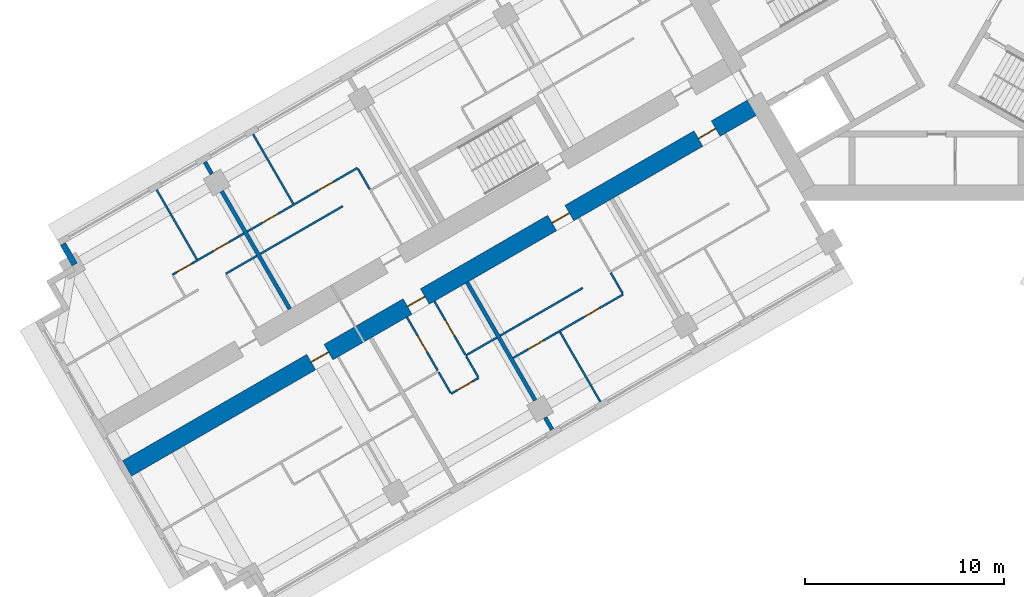
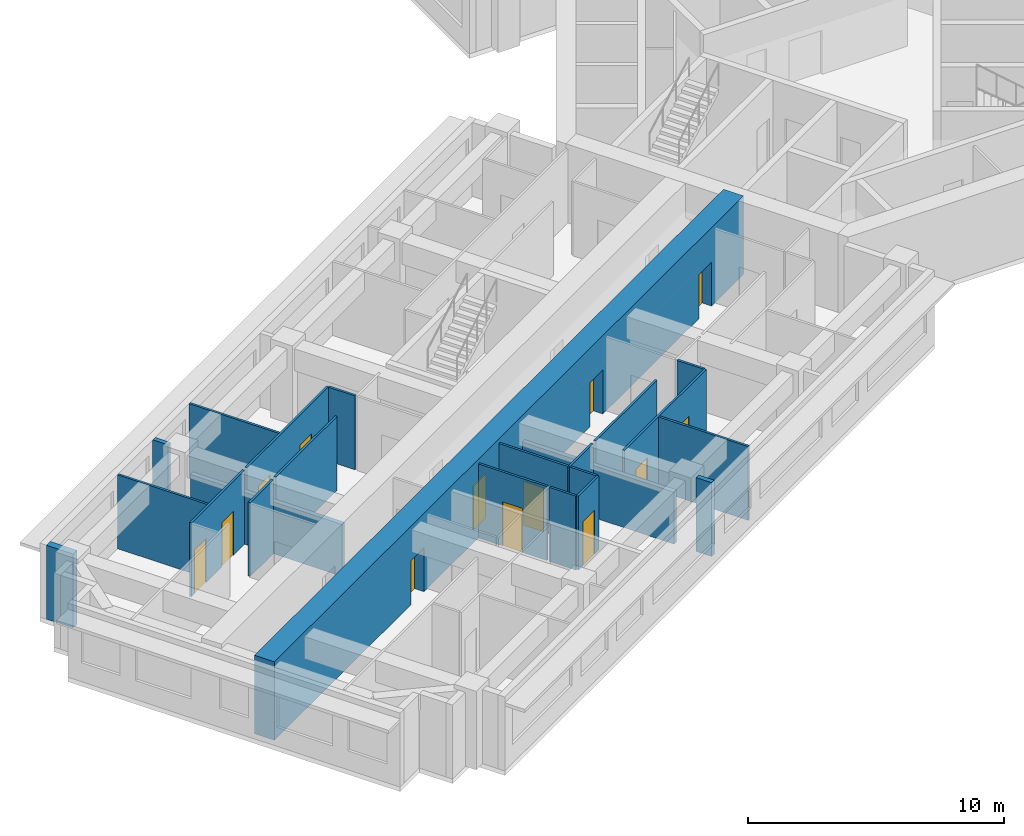
# One storey, part 4 of 14: 23 walls, 13 doors, 13 openings.
"""IFC4 building model written with IfcOpenShell, lengths in metres."""

from ifc_helpers import new_model, si_unit, direction, frame, frame_2d, origin, place, context, subcontext, project, spatial, rectangle, extrude, material, layer, layer_set, type_object, element, fill, save


model = new_model("IFC4")

# Units and contexts
model_context = context("Model", 3, precision=1e-05, world=origin(), true_north=direction((0.0, 1.0)))
body_context = subcontext(model_context, "Body", "Model", "MODEL_VIEW")
ifc_project = project(units=[si_unit("LENGTHUNIT", "METRE"), si_unit("AREAUNIT", "SQUARE_METRE"), si_unit("VOLUMEUNIT", "CUBIC_METRE"), si_unit("PLANEANGLEUNIT", "RADIAN"), si_unit("MASSUNIT", "GRAM", prefix="KILO")], contexts=[model_context])

# Site, building, storey
site_placement = place(None, origin())
site = spatial("IfcSite", under=ifc_project, at=site_placement, CompositionType="ELEMENT")
building_placement = place(site_placement, origin())
building = spatial("IfcBuilding", under=site, at=building_placement, Name="Impinga Residences", CompositionType="ELEMENT")
storey_placement = place(building_placement, frame((0.0, 0.0, 117.25)))
storey = spatial("IfcBuildingStorey", under=building, at=storey_placement, Name="L28", CompositionType="ELEMENT", Elevation=117.25)

# Wall, openings, doors
ifc_material_1 = material(Name="Concrete C60/75", Category="concrete")
ifc_layer_1 = layer(ifc_material_1, 0.89990234375)
ifc_layer_set_1 = layer_set([ifc_layer_1], Name="Concrete C60/75")
wall_type_1 = type_object("IfcWallType", Name="BW2 corridor buttress wall, L24 to L44 900", PredefinedType="SHEAR", material=ifc_layer_set_1)
wall_1_placement = place(storey_placement, frame((-8.95361328125, -6.554931640625, 0.0), z_axis=(0.0, 0.0, 1.0), x_axis=(-0.866024733898, -0.500001160275, 0.0)))
wall_1 = element("IfcWall", 1, at=wall_1_placement, inside=storey, type_object=wall_type_1, Name="Corridor wall BW2 WC L28", PredefinedType="SHEAR", context=body_context, shape_type="SweptSolid", body=[
    extrude(rectangle(XDim=36.7001953125, YDim=0.89990234375, at=frame_2d((18.35009765625, 0.0))), origin(), (0.0, 0.0, 1.0), 3.75),
])
opening_1_placement = place(wall_1_placement, frame((2.5, 0.0, 0.0)))
opening_1 = element("IfcOpeningElement", 2, at=opening_1_placement, cuts=wall_1, Name="Opening D1", PredefinedType="OPENING", context=body_context, shape_type="SweptSolid", body=[
    extrude(rectangle(XDim=1.0, YDim=2.10009765625, at=frame_2d((0.5, 1.050048828125))), frame((0.0, 0.4599609375, 0.0), z_axis=(0.0, -1.0, 0.0), x_axis=(1.0, 0.0, 0.0)), (0.0, 0.0, 1.0), 0.919921875),
])
opening_2_placement = place(wall_1_placement, frame((11.0, 0.0, 0.0)))
opening_2 = element("IfcOpeningElement", 3, at=opening_2_placement, cuts=wall_1, Name="Opening D1", PredefinedType="OPENING", context=body_context, shape_type="SweptSolid", body=[
    extrude(rectangle(XDim=1.0, YDim=2.10009765625, at=frame_2d((0.5, 1.050048828125))), frame((0.0, 0.4599609375, 0.0), z_axis=(0.0, -1.0, 0.0), x_axis=(1.0, 0.0, 0.0)), (0.0, 0.0, 1.0), 0.919921875),
])
opening_3_placement = place(wall_1_placement, frame((19.39990234375, 0.0, 0.0)))
opening_3 = element("IfcOpeningElement", 4, at=opening_3_placement, cuts=wall_1, Name="Opening D1", PredefinedType="OPENING", context=body_context, shape_type="SweptSolid", body=[
    extrude(rectangle(XDim=1.0, YDim=2.10009765625, at=frame_2d((0.5, 1.050048828125))), frame((0.0, 0.4599609375, 0.0), z_axis=(0.0, -1.0, 0.0), x_axis=(1.0, 0.0, 0.0)), (0.0, 0.0, 1.0), 0.919921875),
])
opening_4_placement = place(wall_1_placement, frame((25.0, 0.0, 0.0)))
opening_4 = element("IfcOpeningElement", 5, at=opening_4_placement, cuts=wall_1, Name="Opening D1", PredefinedType="OPENING", context=body_context, shape_type="SweptSolid", body=[
    extrude(rectangle(XDim=1.0, YDim=2.10009765625, at=frame_2d((0.5, 1.050048828125))), frame((0.0, 0.4599609375, 0.0), z_axis=(0.0, -1.0, 0.0), x_axis=(1.0, 0.0, 0.0)), (0.0, 0.0, 1.0), 0.919921875),
])
ifc_material_2 = material(Name="Timber door set", Category="wood")
door_type_1 = type_object("IfcDoorType", Name="D1 apartment entrance door 1000x2100", OperationType="SINGLE_SWING_LEFT", PredefinedType="DOOR", material=ifc_material_2)
door_1_placement = place(opening_1_placement, origin())
door_1 = element("IfcDoor", 6, at=door_1_placement, inside=storey, type_object=door_type_1, Name="Apartment L28-WA1 entrance", OperationType="SINGLE_SWING_LEFT", OverallHeight=2.10009765625, OverallWidth=1.0, PredefinedType="DOOR", context=body_context, shape_type="SweptSolid", body=[
    extrude(rectangle(XDim=1.0, YDim=2.10009765625, at=frame_2d((0.5, 1.050048828125))), frame((0.0, 0.02490234375, 0.0), z_axis=(0.0, -1.0, 0.0), x_axis=(1.0, 0.0, 0.0)), (0.0, 0.0, 1.0), 0.050048828125),
])
fill(opening_1, door_1)
door_2_placement = place(opening_2_placement, origin())
door_2 = element("IfcDoor", 7, at=door_2_placement, inside=storey, type_object=door_type_1, Name="Apartment L28-WA2 entrance", OperationType="SINGLE_SWING_LEFT", OverallHeight=2.10009765625, OverallWidth=1.0, PredefinedType="DOOR", context=body_context, shape_type="SweptSolid", body=[
    extrude(rectangle(XDim=1.0, YDim=2.10009765625, at=frame_2d((0.5, 1.050048828125))), frame((0.0, 0.02490234375, 0.0), z_axis=(0.0, -1.0, 0.0), x_axis=(1.0, 0.0, 0.0)), (0.0, 0.0, 1.0), 0.050048828125),
])
fill(opening_2, door_2)
door_3_placement = place(opening_3_placement, origin())
door_3 = element("IfcDoor", 8, at=door_3_placement, inside=storey, type_object=door_type_1, Name="Apartment L28-WA3 entrance", OperationType="SINGLE_SWING_RIGHT", OverallHeight=2.10009765625, OverallWidth=1.0, PredefinedType="DOOR", context=body_context, shape_type="SweptSolid", body=[
    extrude(rectangle(XDim=1.0, YDim=2.10009765625, at=frame_2d((0.5, 1.050048828125))), frame((0.0, 0.02490234375, 0.0), z_axis=(0.0, -1.0, 0.0), x_axis=(1.0, 0.0, 0.0)), (0.0, 0.0, 1.0), 0.050048828125),
])
fill(opening_3, door_3)
door_4_placement = place(opening_4_placement, origin())
door_4 = element("IfcDoor", 9, at=door_4_placement, inside=storey, type_object=door_type_1, Name="Apartment L28-WA4 entrance", OperationType="SINGLE_SWING_RIGHT", OverallHeight=2.10009765625, OverallWidth=1.0, PredefinedType="DOOR", context=body_context, shape_type="SweptSolid", body=[
    extrude(rectangle(XDim=1.0, YDim=2.10009765625, at=frame_2d((0.5, 1.050048828125))), frame((0.0, 0.02490234375, 0.0), z_axis=(0.0, -1.0, 0.0), x_axis=(1.0, 0.0, 0.0)), (0.0, 0.0, 1.0), 0.050048828125),
])
fill(opening_4, door_4)

# Walls
ifc_material_3 = material(Name="Terracotta rainscreen on blockwork", Category="masonry")
ifc_layer_2 = layer(ifc_material_3, 0.300048828125)
ifc_layer_set_2 = layer_set([ifc_layer_2], Name="EW1 external wall, terracotta rainscreen on blockwork 300")
wall_type_2 = type_object("IfcWallType", Name="EW1 external wall, terracotta rainscreen on blockwork 300", PredefinedType="SOLIDWALL", material=ifc_layer_set_2)
wall_2_placement = place(storey_placement, frame((-43.37109375, -14.64208984375, 0.0), z_axis=(0.0, 0.0, 1.0), x_axis=(-0.500029051137, 0.866008630453, 0.0)))
element("IfcWall", 10, at=wall_2_placement, inside=storey, type_object=wall_type_2, Name="External wall EW1 L28", PredefinedType="SOLIDWALL", context=body_context, shape_type="SweptSolid", body=[
    extrude(rectangle(XDim=1.19482421875, YDim=0.300048828125, at=frame_2d((0.597412109375, 0.0))), origin(), (0.0, 0.0, 1.0), 3.530029296875),
])
ifc_material_4 = material(Name="Gypsum board on steel studs", Category="steel")
ifc_layer_3 = layer(ifc_material_4, 0.10009765625)
ifc_layer_set_3 = layer_set([ifc_layer_3], Name="Gypsum board on steel studs")
wall_type_3 = type_object("IfcWallType", Name="IP1 partition 100", PredefinedType="PARTITIONING", material=ifc_layer_set_3)
wall_3_placement = place(storey_placement, frame((-17.8056640625, -15.82275390625, 0.0), z_axis=(0.0, 0.0, 1.0), x_axis=(-0.866037363387, -0.499979284789, 0.0)))
element("IfcWall", 11, at=wall_3_placement, inside=storey, type_object=wall_type_3, Name="Partition L28-WA2:DIV1", PredefinedType="PARTITIONING", context=body_context, shape_type="SweptSolid", body=[
    extrude(rectangle(XDim=4.800048828125, YDim=0.10009765625, at=frame_2d((2.39990234375, 0.0))), origin(), (0.0, 0.0, 1.0), 3.530029296875),
])

# Wall, openings, doors
wall_4_placement = place(storey_placement, frame((-15.77001953125, -16.1484375, 0.0), z_axis=(0.0, 0.0, 1.0), x_axis=(-0.866018518567, -0.500011925357, 0.0)))
wall_4 = element("IfcWall", 12, at=wall_4_placement, inside=storey, type_object=wall_type_3, Name="Partition L28-WA2:STRIP", PredefinedType="PARTITIONING", context=body_context, shape_type="SweptSolid", body=[
    extrude(rectangle(XDim=6.400146484375, YDim=0.10009765625, at=frame_2d((3.2001953125, 0.0))), origin(), (0.0, 0.0, 1.0), 3.530029296875),
])
opening_5_placement = place(wall_4_placement, frame((1.375, 0.0, 0.0)))
opening_5 = element("IfcOpeningElement", 13, at=opening_5_placement, cuts=wall_4, Name="Opening D2", PredefinedType="OPENING", context=body_context, shape_type="SweptSolid", body=[
    extrude(rectangle(XDim=0.89990234375, YDim=2.10009765625, at=frame_2d((0.449951171875, 1.050048828125))), frame((0.0, 0.06005859375, 0.0), z_axis=(0.0, -1.0, 0.0), x_axis=(1.0, 0.0, 0.0)), (0.0, 0.0, 1.0), 0.1201171875),
])
opening_6_placement = place(wall_4_placement, frame((4.625, 0.0, 0.0)))
opening_6 = element("IfcOpeningElement", 14, at=opening_6_placement, cuts=wall_4, Name="Opening D2", PredefinedType="OPENING", context=body_context, shape_type="SweptSolid", body=[
    extrude(rectangle(XDim=0.89990234375, YDim=2.10009765625, at=frame_2d((0.449951171875, 1.050048828125))), frame((0.0, 0.06005859375, 0.0), z_axis=(0.0, -1.0, 0.0), x_axis=(1.0, 0.0, 0.0)), (0.0, 0.0, 1.0), 0.1201171875),
])
door_type_2 = type_object("IfcDoorType", Name="D2 internal door 900x2100", OperationType="SINGLE_SWING_LEFT", PredefinedType="DOOR", material=ifc_material_2)
door_5_placement = place(opening_5_placement, origin())
door_5 = element("IfcDoor", 15, at=door_5_placement, inside=storey, type_object=door_type_2, Name="Apartment L28-WA2 room door", OperationType="SINGLE_SWING_LEFT", OverallHeight=2.10009765625, OverallWidth=0.89990234375, PredefinedType="DOOR", context=body_context, shape_type="SweptSolid", body=[
    extrude(rectangle(XDim=0.89990234375, YDim=2.10009765625, at=frame_2d((0.449951171875, 1.050048828125))), frame((0.0, 0.02490234375, 0.0), z_axis=(0.0, -1.0, 0.0), x_axis=(1.0, 0.0, 0.0)), (0.0, 0.0, 1.0), 0.050048828125),
])
fill(opening_5, door_5)
door_6_placement = place(opening_6_placement, origin())
door_6 = element("IfcDoor", 16, at=door_6_placement, inside=storey, type_object=door_type_2, Name="Apartment L28-WA2 room door", OperationType="SINGLE_SWING_RIGHT", OverallHeight=2.10009765625, OverallWidth=0.89990234375, PredefinedType="DOOR", context=body_context, shape_type="SweptSolid", body=[
    extrude(rectangle(XDim=0.89990234375, YDim=2.10009765625, at=frame_2d((0.449951171875, 1.050048828125))), frame((0.0, 0.02490234375, 0.0), z_axis=(0.0, -1.0, 0.0), x_axis=(1.0, 0.0, 0.0)), (0.0, 0.0, 1.0), 0.050048828125),
])
fill(opening_6, door_6)

# Walls
wall_5_placement = place(storey_placement, frame((-16.39501953125, -15.06591796875, 0.0), z_axis=(0.0, 0.0, 1.0), x_axis=(0.499880961361, -0.866094119867, 0.0)))
element("IfcWall", 17, at=wall_5_placement, inside=storey, type_object=wall_type_3, Name="Partition L28-WA2:SE0", PredefinedType="PARTITIONING", context=body_context, shape_type="SweptSolid", body=[
    extrude(rectangle(XDim=1.199951171875, YDim=0.10009765625, at=frame_2d((0.60009765625, 0.0))), origin(), (0.0, 0.0, 1.0), 3.530029296875),
])
wall_6_placement = place(storey_placement, frame((-18.949462890625, -18.041748046875, 0.0), z_axis=(0.0, 0.0, 1.0), x_axis=(0.50000943426, -0.866019956843, 0.0)))
element("IfcWall", 18, at=wall_6_placement, inside=storey, type_object=wall_type_3, Name="Partition L28-WA2:OB1", PredefinedType="PARTITIONING", context=body_context, shape_type="SweptSolid", body=[
    extrude(rectangle(XDim=4.05029296875, YDim=0.10009765625, at=frame_2d((2.025146484375, 0.0))), origin(), (0.0, 0.0, 1.0), 3.530029296875),
])
wall_7_placement = place(storey_placement, frame((-22.1357421875, -18.32275390625, 0.0), z_axis=(0.0, 0.0, 1.0), x_axis=(-0.866047807691, -0.499961193289, 0.0)))
element("IfcWall", 19, at=wall_7_placement, inside=storey, type_object=wall_type_3, Name="Partition L28-WA3:DIV0", PredefinedType="PARTITIONING", context=body_context, shape_type="SweptSolid", body=[
    extrude(rectangle(XDim=1.800048828125, YDim=0.10009765625, at=frame_2d((0.89990234375, 0.0))), origin(), (0.0, 0.0, 1.0), 3.530029296875),
])

# Wall, opening, door
wall_8_placement = place(storey_placement, frame((-23.044677734375, -20.3486328125, 0.0), z_axis=(0.0, 0.0, 1.0), x_axis=(-0.866094119867, -0.499880961361, 0.0)))
wall_8 = element("IfcWall", 20, at=wall_8_placement, inside=storey, type_object=wall_type_3, Name="Partition L28-WA3:STRIP", PredefinedType="PARTITIONING", context=body_context, shape_type="SweptSolid", body=[
    extrude(rectangle(XDim=1.60009765625, YDim=0.10009765625, at=frame_2d((0.800048828125, 0.0))), origin(), (0.0, 0.0, 1.0), 3.530029296875),
])
opening_7_placement = place(wall_8_placement, frame((0.35009765625, 0.0, 0.0)))
opening_7 = element("IfcOpeningElement", 21, at=opening_7_placement, cuts=wall_8, Name="Opening D2", PredefinedType="OPENING", context=body_context, shape_type="SweptSolid", body=[
    extrude(rectangle(XDim=0.89990234375, YDim=2.10009765625, at=frame_2d((0.449951171875, 1.050048828125))), frame((0.0, 0.06005859375, 0.0), z_axis=(0.0, -1.0, 0.0), x_axis=(1.0, 0.0, 0.0)), (0.0, 0.0, 1.0), 0.1201171875),
])
door_7_placement = place(opening_7_placement, origin())
door_7 = element("IfcDoor", 22, at=door_7_placement, inside=storey, type_object=door_type_2, Name="Apartment L28-WA3 room door", OperationType="SINGLE_SWING_LEFT", OverallHeight=2.10009765625, OverallWidth=0.89990234375, PredefinedType="DOOR", context=body_context, shape_type="SweptSolid", body=[
    extrude(rectangle(XDim=0.89990234375, YDim=2.10009765625, at=frame_2d((0.449951171875, 1.050048828125))), frame((0.0, 0.02490234375, 0.0), z_axis=(0.0, -1.0, 0.0), x_axis=(1.0, 0.0, 0.0)), (0.0, 0.0, 1.0), 0.050048828125),
])
fill(opening_7, door_7)

# Walls
for number, where, z_axis, x_axis, name in (
    (23, (-23.669677734375, -19.265869140625, 0.0), (0.0, 0.0, 1.0), (0.500033551112, -0.866006032174, 0.0), "Partition L28-WA3:SE0"),
    (24, (-25.055419921875, -20.06591796875, 0.0), (0.0, 0.0, 1.0), (0.500033551112, -0.866006032174, 0.0), "Partition L28-WA3:SE1"),
):
    element("IfcWall", number, at=place(storey_placement, frame(where, z_axis=z_axis, x_axis=x_axis)), inside=storey, type_object=wall_type_3, Name=name, PredefinedType="PARTITIONING", context=body_context, shape_type="SweptSolid", body=[
        extrude(rectangle(XDim=1.2001953125, YDim=0.10009765625, at=frame_2d((0.60009765625, 0.0))), origin(), (0.0, 0.0, 1.0), 3.530029296875),
    ])

# Wall, opening, door
wall_9_placement = place(storey_placement, frame((-25.269775390625, -16.49462890625, 0.0), z_axis=(0.0, 0.0, 1.0), x_axis=(0.49999285859, -0.86602952684, 0.0)))
wall_9 = element("IfcWall", 25, at=wall_9_placement, inside=storey, type_object=wall_type_3, Name="Partition L28-WA3:IB1", PredefinedType="PARTITIONING", context=body_context, shape_type="SweptSolid", body=[
    extrude(rectangle(XDim=3.10009765625, YDim=0.10009765625, at=frame_2d((1.550048828125, 0.0))), origin(), (0.0, 0.0, 1.0), 3.530029296875),
])
opening_8_placement = place(wall_9_placement, frame((1.10009765625, 0.0, 0.0)))
opening_8 = element("IfcOpeningElement", 26, at=opening_8_placement, cuts=wall_9, Name="Opening D2", PredefinedType="OPENING", context=body_context, shape_type="SweptSolid", body=[
    extrude(rectangle(XDim=0.89990234375, YDim=2.10009765625, at=frame_2d((0.449951171875, 1.050048828125))), frame((0.0, 0.06005859375, 0.0), z_axis=(0.0, -1.0, 0.0), x_axis=(1.0, 0.0, 0.0)), (0.0, 0.0, 1.0), 0.1201171875),
])
door_8_placement = place(opening_8_placement, origin())
door_8 = element("IfcDoor", 27, at=door_8_placement, inside=storey, type_object=door_type_2, Name="Apartment L28-WA3 bathroom door", OperationType="SINGLE_SWING_LEFT", OverallHeight=2.10009765625, OverallWidth=0.89990234375, PredefinedType="DOOR", context=body_context, shape_type="SweptSolid", body=[
    extrude(rectangle(XDim=0.89990234375, YDim=2.10009765625, at=frame_2d((0.449951171875, 1.050048828125))), frame((0.0, 0.02490234375, 0.0), z_axis=(0.0, -1.0, 0.0), x_axis=(1.0, 0.0, 0.0)), (0.0, 0.0, 1.0), 0.050048828125),
])
fill(opening_8, door_8)

wall_10_placement = place(storey_placement, frame((-26.6552734375, -17.294677734375, 0.0), z_axis=(0.0, 0.0, 1.0), x_axis=(0.49999285859, -0.86602952684, 0.0)))
wall_10 = element("IfcWall", 28, at=wall_10_placement, inside=storey, type_object=wall_type_3, Name="Partition L28-WA3:IB2", PredefinedType="PARTITIONING", context=body_context, shape_type="SweptSolid", body=[
    extrude(rectangle(XDim=3.10009765625, YDim=0.10009765625, at=frame_2d((1.550048828125, 0.0))), origin(), (0.0, 0.0, 1.0), 3.530029296875),
])
opening_9_placement = place(wall_10_placement, frame((1.10009765625, 0.0, 0.0)))
opening_9 = element("IfcOpeningElement", 29, at=opening_9_placement, cuts=wall_10, Name="Opening D2", PredefinedType="OPENING", context=body_context, shape_type="SweptSolid", body=[
    extrude(rectangle(XDim=0.89990234375, YDim=2.10009765625, at=frame_2d((0.449951171875, 1.050048828125))), frame((0.0, 0.06005859375, 0.0), z_axis=(0.0, -1.0, 0.0), x_axis=(1.0, 0.0, 0.0)), (0.0, 0.0, 1.0), 0.1201171875),
])
door_9_placement = place(opening_9_placement, origin())
door_9 = element("IfcDoor", 30, at=door_9_placement, inside=storey, type_object=door_type_2, Name="Apartment L28-WA3 WC door", OperationType="SINGLE_SWING_LEFT", OverallHeight=2.10009765625, OverallWidth=0.89990234375, PredefinedType="DOOR", context=body_context, shape_type="SweptSolid", body=[
    extrude(rectangle(XDim=0.89990234375, YDim=2.10009765625, at=frame_2d((0.449951171875, 1.050048828125))), frame((0.0, 0.02490234375, 0.0), z_axis=(0.0, -1.0, 0.0), x_axis=(1.0, 0.0, 0.0)), (0.0, 0.0, 1.0), 0.050048828125),
])
fill(opening_9, door_9)

# Wall
wall_11_placement = place(storey_placement, frame((-29.88037109375, -11.708740234375, 0.0), z_axis=(0.0, 0.0, 1.0), x_axis=(-0.866015339567, -0.500017431331, 0.0)))
element("IfcWall", 31, at=wall_11_placement, inside=storey, type_object=wall_type_3, Name="Partition L28-WF2:DIV1", PredefinedType="PARTITIONING", context=body_context, shape_type="SweptSolid", body=[
    extrude(rectangle(XDim=4.800048828125, YDim=0.10009765625, at=frame_2d((2.39990234375, 0.0))), origin(), (0.0, 0.0, 1.0), 3.530029296875),
])

# Wall, openings, doors
wall_12_placement = place(storey_placement, frame((-29.144775390625, -9.782958984375, 0.0), z_axis=(0.0, 0.0, 1.0), x_axis=(-0.866025499775, -0.499999833739, 0.0)))
wall_12 = element("IfcWall", 32, at=wall_12_placement, inside=storey, type_object=wall_type_3, Name="Partition L28-WF2:STRIP", PredefinedType="PARTITIONING", context=body_context, shape_type="SweptSolid", body=[
    extrude(rectangle(XDim=6.39990234375, YDim=0.10009765625, at=frame_2d((3.199951171875, 0.0))), origin(), (0.0, 0.0, 1.0), 3.530029296875),
])
opening_10_placement = place(wall_12_placement, frame((1.375, 0.0, 0.0)))
opening_10 = element("IfcOpeningElement", 33, at=opening_10_placement, cuts=wall_12, Name="Opening D2", PredefinedType="OPENING", context=body_context, shape_type="SweptSolid", body=[
    extrude(rectangle(XDim=0.89990234375, YDim=2.10009765625, at=frame_2d((0.449951171875, 1.050048828125))), frame((0.0, 0.06005859375, 0.0), z_axis=(0.0, -1.0, 0.0), x_axis=(1.0, 0.0, 0.0)), (0.0, 0.0, 1.0), 0.1201171875),
])
opening_11_placement = place(wall_12_placement, frame((4.625, 0.0, 0.0)))
opening_11 = element("IfcOpeningElement", 34, at=opening_11_placement, cuts=wall_12, Name="Opening D2", PredefinedType="OPENING", context=body_context, shape_type="SweptSolid", body=[
    extrude(rectangle(XDim=0.89990234375, YDim=2.10009765625, at=frame_2d((0.449951171875, 1.050048828125))), frame((0.0, 0.06005859375, 0.0), z_axis=(0.0, -1.0, 0.0), x_axis=(1.0, 0.0, 0.0)), (0.0, 0.0, 1.0), 0.1201171875),
])
door_10_placement = place(opening_10_placement, origin())
door_10 = element("IfcDoor", 35, at=door_10_placement, inside=storey, type_object=door_type_2, Name="Apartment L28-WF2 room door", OperationType="SINGLE_SWING_LEFT", OverallHeight=2.10009765625, OverallWidth=0.89990234375, PredefinedType="DOOR", context=body_context, shape_type="SweptSolid", body=[
    extrude(rectangle(XDim=0.89990234375, YDim=2.10009765625, at=frame_2d((0.449951171875, 1.050048828125))), frame((0.0, 0.02490234375, 0.0), z_axis=(0.0, -1.0, 0.0), x_axis=(1.0, 0.0, 0.0)), (0.0, 0.0, 1.0), 0.050048828125),
])
fill(opening_10, door_10)
door_11_placement = place(opening_11_placement, origin())
door_11 = element("IfcDoor", 36, at=door_11_placement, inside=storey, type_object=door_type_2, Name="Apartment L28-WF2 room door", OperationType="SINGLE_SWING_RIGHT", OverallHeight=2.10009765625, OverallWidth=0.89990234375, PredefinedType="DOOR", context=body_context, shape_type="SweptSolid", body=[
    extrude(rectangle(XDim=0.89990234375, YDim=2.10009765625, at=frame_2d((0.449951171875, 1.050048828125))), frame((0.0, 0.02490234375, 0.0), z_axis=(0.0, -1.0, 0.0), x_axis=(1.0, 0.0, 0.0)), (0.0, 0.0, 1.0), 0.050048828125),
])
fill(opening_11, door_11)

# Walls
wall_13_placement = place(storey_placement, frame((-28.519775390625, -10.865478515625, 0.0), z_axis=(0.0, 0.0, 1.0), x_axis=(-0.499969057507, 0.866043267704, 0.0)))
element("IfcWall", 37, at=wall_13_placement, inside=storey, type_object=wall_type_3, Name="Partition L28-WF2:SE0", PredefinedType="PARTITIONING", context=body_context, shape_type="SweptSolid", body=[
    extrude(rectangle(XDim=1.19970703125, YDim=0.10009765625, at=frame_2d((0.599853515625, 0.0))), origin(), (0.0, 0.0, 1.0), 3.530029296875),
])
wall_14_placement = place(storey_placement, frame((-32.3740234375, -11.589599609375, 0.0), z_axis=(0.0, 0.0, 1.0), x_axis=(-0.499990325971, 0.866030989016, 0.0)))
element("IfcWall", 38, at=wall_14_placement, inside=storey, type_object=wall_type_3, Name="Partition L28-WF2:OB1", PredefinedType="PARTITIONING", context=body_context, shape_type="SweptSolid", body=[
    extrude(rectangle(XDim=4.0498046875, YDim=0.10009765625, at=frame_2d((2.02490234375, 0.0))), origin(), (0.0, 0.0, 1.0), 3.530029296875),
])
wall_15_placement = place(storey_placement, frame((-34.21044921875, -14.208740234375, 0.0), z_axis=(0.0, 0.0, 1.0), x_axis=(-0.865989075817, -0.500062916607, 0.0)))
element("IfcWall", 39, at=wall_15_placement, inside=storey, type_object=wall_type_3, Name="Partition L28-WF3:DIV0", PredefinedType="PARTITIONING", context=body_context, shape_type="SweptSolid", body=[
    extrude(rectangle(XDim=1.800048828125, YDim=0.10009765625, at=frame_2d((0.89990234375, 0.0))), origin(), (0.0, 0.0, 1.0), 3.530029296875),
])

# Wall, openings, doors
wall_16_placement = place(storey_placement, frame((-34.8603515625, -13.0830078125, 0.0), z_axis=(0.0, 0.0, 1.0), x_axis=(-0.86602981871, -0.499992353047, 0.0)))
wall_16 = element("IfcWall", 40, at=wall_16_placement, inside=storey, type_object=wall_type_3, Name="Partition L28-WF3:STRIP", PredefinedType="PARTITIONING", context=body_context, shape_type="SweptSolid", body=[
    extrude(rectangle(XDim=4.14990234375, YDim=0.10009765625, at=frame_2d((2.074951171875, 0.0))), origin(), (0.0, 0.0, 1.0), 3.530029296875),
])
opening_12_placement = place(wall_16_placement, frame((0.875, 0.0, 0.0)))
opening_12 = element("IfcOpeningElement", 41, at=opening_12_placement, cuts=wall_16, Name="Opening D2", PredefinedType="OPENING", context=body_context, shape_type="SweptSolid", body=[
    extrude(rectangle(XDim=0.89990234375, YDim=2.10009765625, at=frame_2d((0.449951171875, 1.050048828125))), frame((0.0, 0.06005859375, 0.0), z_axis=(0.0, -1.0, 0.0), x_axis=(1.0, 0.0, 0.0)), (0.0, 0.0, 1.0), 0.1201171875),
])
opening_13_placement = place(wall_16_placement, frame((3.0, 0.0, 0.0)))
opening_13 = element("IfcOpeningElement", 42, at=opening_13_placement, cuts=wall_16, Name="Opening D2", PredefinedType="OPENING", context=body_context, shape_type="SweptSolid", body=[
    extrude(rectangle(XDim=0.89990234375, YDim=2.10009765625, at=frame_2d((0.449951171875, 1.050048828125))), frame((0.0, 0.06005859375, 0.0), z_axis=(0.0, -1.0, 0.0), x_axis=(1.0, 0.0, 0.0)), (0.0, 0.0, 1.0), 0.1201171875),
])
door_12_placement = place(opening_12_placement, origin())
door_12 = element("IfcDoor", 43, at=door_12_placement, inside=storey, type_object=door_type_2, Name="Apartment L28-WF3 room door", OperationType="SINGLE_SWING_LEFT", OverallHeight=2.10009765625, OverallWidth=0.89990234375, PredefinedType="DOOR", context=body_context, shape_type="SweptSolid", body=[
    extrude(rectangle(XDim=0.89990234375, YDim=2.10009765625, at=frame_2d((0.449951171875, 1.050048828125))), frame((0.0, 0.02490234375, 0.0), z_axis=(0.0, -1.0, 0.0), x_axis=(1.0, 0.0, 0.0)), (0.0, 0.0, 1.0), 0.050048828125),
])
fill(opening_12, door_12)
door_13_placement = place(opening_13_placement, origin())
door_13 = element("IfcDoor", 44, at=door_13_placement, inside=storey, type_object=door_type_2, Name="Apartment L28-WF3 room door", OperationType="SINGLE_SWING_RIGHT", OverallHeight=2.10009765625, OverallWidth=0.89990234375, PredefinedType="DOOR", context=body_context, shape_type="SweptSolid", body=[
    extrude(rectangle(XDim=0.89990234375, YDim=2.10009765625, at=frame_2d((0.449951171875, 1.050048828125))), frame((0.0, 0.02490234375, 0.0), z_axis=(0.0, -1.0, 0.0), x_axis=(1.0, 0.0, 0.0)), (0.0, 0.0, 1.0), 0.050048828125),
])
fill(opening_13, door_13)

# Walls
wall_17_placement = place(storey_placement, frame((-37.2236328125, -14.3896484375, 0.0), z_axis=(0.0, 0.0, 1.0), x_axis=(-0.500035537042, 0.866004885491, 0.0)))
element("IfcWall", 45, at=wall_17_placement, inside=storey, type_object=wall_type_3, Name="Partition L28-WF3:OB1", PredefinedType="PARTITIONING", context=body_context, shape_type="SweptSolid", body=[
    extrude(rectangle(XDim=4.050048828125, YDim=0.10009765625, at=frame_2d((2.02490234375, 0.0))), origin(), (0.0, 0.0, 1.0), 3.530029296875),
])
ifc_material_5 = material(Name="Concrete blockwork", Category="masonry")
ifc_layer_4 = layer(ifc_material_5, 0.199951171875)
ifc_layer_set_4 = layer_set([ifc_layer_4], Name="PW1 party wall between apartments 200")
wall_type_4 = type_object("IfcWallType", Name="PW1 party wall between apartments 200", PredefinedType="SOLIDWALL", material=ifc_layer_set_4)
wall_18_placement = place(storey_placement, frame((-23.624267578125, -15.544677734375, 0.0), z_axis=(0.0, 0.0, 1.0), x_axis=(0.499999086063, -0.866025931445, 0.0)))
element("IfcWall", 46, at=wall_18_placement, inside=storey, type_object=wall_type_4, Name="Party wall between apartments L28-WA2:PARTY", PredefinedType="SOLIDWALL", context=body_context, shape_type="SweptSolid", body=[
    extrude(rectangle(XDim=6.85009765625, YDim=0.199951171875, at=frame_2d((3.425048828125, 0.0))), origin(), (0.0, 0.0, 1.0), 2.47998046875),
])
wall_19_placement = place(storey_placement, frame((-19.69921875, -22.343017578125, 0.0), z_axis=(0.0, 0.0, 1.0), x_axis=(0.500114896893, -0.865959057869, 0.0)))
element("IfcWall", 47, at=wall_19_placement, inside=storey, type_object=wall_type_4, Name="Party wall between apartments L28-WA2:PARTYb", PredefinedType="SOLIDWALL", context=body_context, shape_type="SweptSolid", body=[
    extrude(rectangle(XDim=0.699951171875, YDim=0.199951171875, at=frame_2d((0.35009765625, 0.0))), origin(), (0.0, 0.0, 1.0), 3.530029296875),
])
wall_20_placement = place(storey_placement, frame((-32.548828125, -16.88671875, 0.0), z_axis=(0.0, 0.0, 1.0), x_axis=(-0.500014519185, 0.866017020967, 0.0)))
element("IfcWall", 48, at=wall_20_placement, inside=storey, type_object=wall_type_4, Name="Party wall between apartments L28-WF2:PARTY", PredefinedType="SOLIDWALL", context=body_context, shape_type="SweptSolid", body=[
    extrude(rectangle(XDim=6.849853515625, YDim=0.199951171875, at=frame_2d((3.4248046875, 0.0))), origin(), (0.0, 0.0, 1.0), 2.47998046875),
])
wall_21_placement = place(storey_placement, frame((-36.473876953125, -10.088623046875, 0.0), z_axis=(0.0, 0.0, 1.0), x_axis=(-0.499853302173, 0.866110083249, 0.0)))
element("IfcWall", 49, at=wall_21_placement, inside=storey, type_object=wall_type_4, Name="Party wall between apartments L28-WF2:PARTYb", PredefinedType="SOLIDWALL", context=body_context, shape_type="SweptSolid", body=[
    extrude(rectangle(XDim=0.699951171875, YDim=0.199951171875, at=frame_2d((0.35009765625, 0.0))), origin(), (0.0, 0.0, 1.0), 3.530029296875),
])

save(model, "model.ifc")
